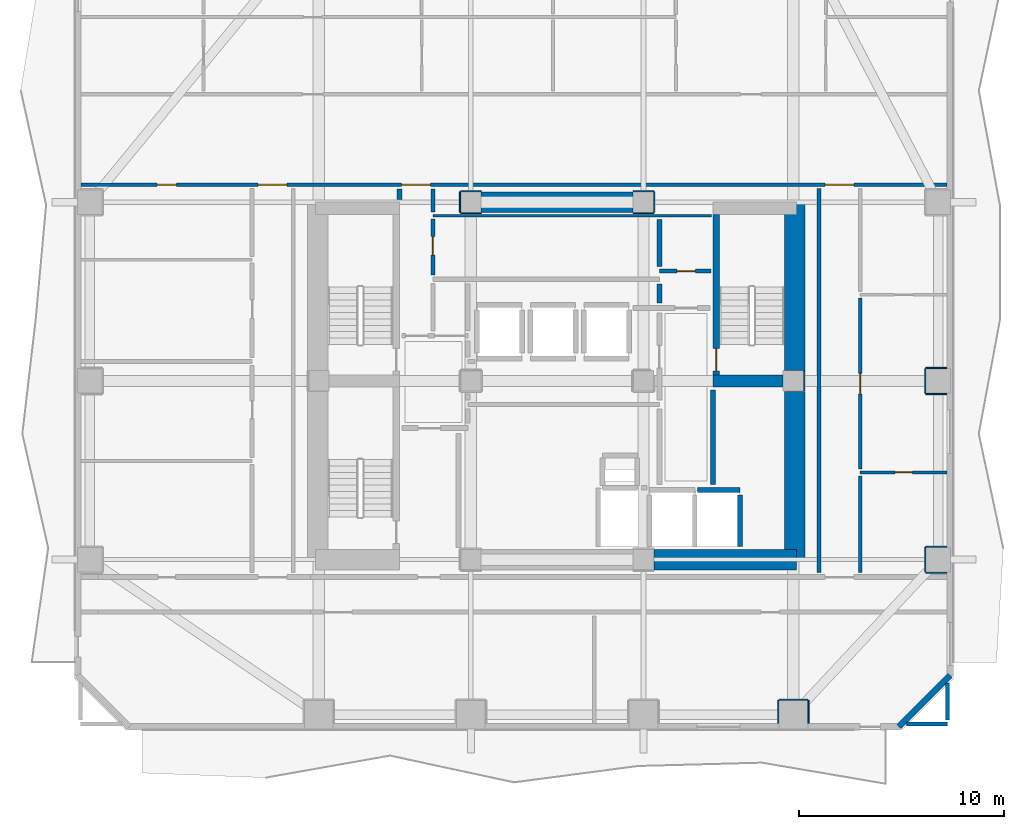
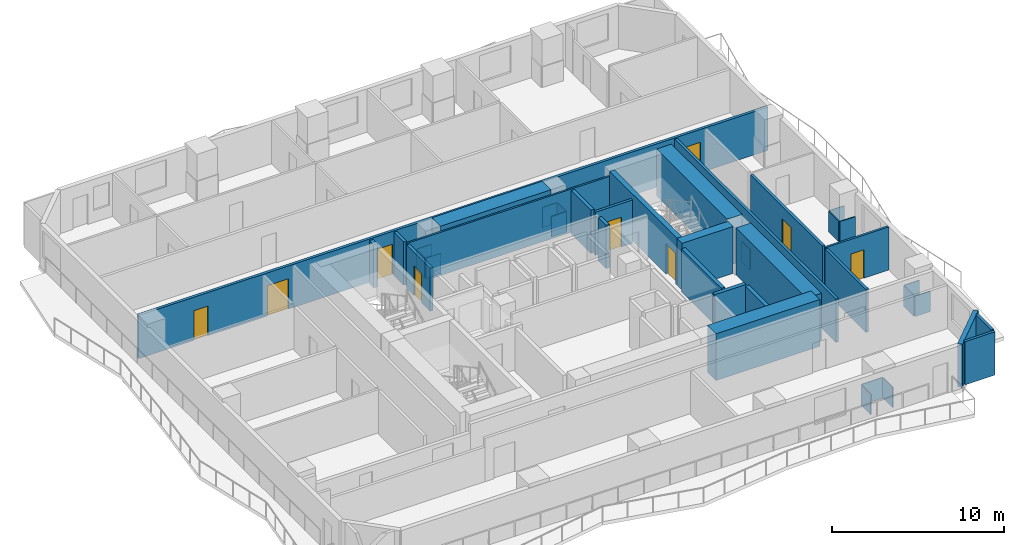
# One storey, part 4 of 10: 40 walls, 9 doors, 9 openings.
"""IFC4 building model written with IfcOpenShell, lengths in metres."""

from ifc_helpers import new_model, si_unit, direction, frame, frame_2d, origin, place, context, subcontext, project, spatial, rectangle, extrude, material, layer, layer_set, type_object, element, fill, save


model = new_model("IFC4")

# Units and contexts
model_context = context("Model", 3, precision=1e-05, world=origin(), true_north=direction((0.0, 1.0)))
body_context = subcontext(model_context, "Body", "Model", "MODEL_VIEW")
ifc_project = project(units=[si_unit("LENGTHUNIT", "METRE"), si_unit("AREAUNIT", "SQUARE_METRE"), si_unit("VOLUMEUNIT", "CUBIC_METRE"), si_unit("PLANEANGLEUNIT", "RADIAN"), si_unit("MASSUNIT", "GRAM", prefix="KILO")], contexts=[model_context])

# Site, building, storey
site_placement = place(None, origin())
site = spatial("IfcSite", under=ifc_project, at=site_placement, CompositionType="ELEMENT")
building_placement = place(site_placement, origin())
building = spatial("IfcBuilding", under=site, at=building_placement, Name="Solanera Arch Residences", CompositionType="ELEMENT")
storey_placement = place(building_placement, frame((0.0, 0.0, 92.800048828125)))
storey = spatial("IfcBuildingStorey", under=building, at=storey_placement, Name="L26", CompositionType="ELEMENT", Elevation=92.800048828125)

# Walls
ifc_material_1 = material(Name="Fire-Rated Gypsum Stud Partition", Category="gypsum")
ifc_layer_1 = layer(ifc_material_1, 0.06005859375)
ifc_layer_set_1 = layer_set([ifc_layer_1], Name="Fire-Rated Gypsum Stud Partition")
wall_type_1 = type_object("IfcWallType", Name="Column Acoustic Furring Wall 60", PredefinedType="PARTITIONING", material=ifc_layer_set_1)
for number, where, z_axis, x_axis, name in (
    (1, (20.300048828125, 38.867919921875, 0.0), (0.0, 0.0, 1.0), (1.0, 0.0, 0.0), "L26 Column Furring 3S"),
    (2, (20.300048828125, 39.931884765625, 0.0), (0.0, 0.0, 1.0), (1.0, 0.0, 0.0), "L26 Column Furring 3N"),
    (3, (20.26806640625, 38.89990234375, 0.0), (0.0, 0.0, 1.0), (0.0, 1.0, 0.0), "L26 Column Furring 3W"),
    (4, (28.699951171875, 38.867919921875, 0.0), (0.0, 0.0, 1.0), (1.0, 0.0, 0.0), "L26 Column Furring 4S"),
    (5, (28.699951171875, 39.931884765625, 0.0), (0.0, 0.0, 1.0), (1.0, 0.0, 0.0), "L26 Column Furring 4N"),
    (6, (29.73193359375, 38.89990234375, 0.0), (0.0, 0.0, 1.0), (0.0, 1.0, 0.0), "L26 Column Furring 4E"),
):
    element("IfcWall", number, at=place(storey_placement, frame(where, z_axis=z_axis, x_axis=x_axis)), inside=storey, type_object=wall_type_1, Name=name, PredefinedType="PARTITIONING", context=body_context, shape_type="SweptSolid", body=[
        extrude(rectangle(XDim=1.0, YDim=0.06005859375, at=frame_2d((0.5, 0.0))), origin(), (0.0, 0.0, 1.0), 1.449951171875),
    ])
wall_1_placement = place(storey_placement, frame((37.031982421875, 30.2099609375, 0.0), z_axis=(0.0, 0.0, 1.0), x_axis=(0.0, 1.0, 0.0)))
element("IfcWall", 7, at=wall_1_placement, inside=storey, type_object=wall_type_1, Name="L26 Column Furring 6E", PredefinedType="PARTITIONING", context=body_context, shape_type="SweptSolid", body=[
    extrude(rectangle(XDim=0.97998046875, YDim=0.06005859375, at=frame_2d((0.489990234375, 0.0))), origin(), (0.0, 0.0, 1.0), 1.449951171875),
])
wall_2_placement = place(storey_placement, frame((35.800048828125, 15.181884765625, 0.0), z_axis=(0.0, 0.0, 1.0), x_axis=(1.0, 0.0, 0.0)))
element("IfcWall", 8, at=wall_2_placement, inside=storey, type_object=wall_type_1, Name="L26 Column Furring 15N", PredefinedType="PARTITIONING", context=body_context, shape_type="SweptSolid", body=[
    extrude(rectangle(XDim=1.39990234375, YDim=0.06005859375, at=frame_2d((0.699951171875, 0.0))), origin(), (0.0, 0.0, 1.0), 1.449951171875),
])
for number, where, z_axis, x_axis, name in (
    (9, (35.76806640625, 14.030029296875, 0.0), (0.0, 0.0, 1.0), (0.0, 1.0, 0.0), "L26 Column Furring 15W"),
    (10, (37.23193359375, 14.030029296875, 0.0), (0.0, 0.0, 1.0), (0.0, 1.0, 0.0), "L26 Column Furring 15E"),
):
    element("IfcWall", number, at=place(storey_placement, frame(where, z_axis=z_axis, x_axis=x_axis)), inside=storey, type_object=wall_type_1, Name=name, PredefinedType="PARTITIONING", context=body_context, shape_type="SweptSolid", body=[
        extrude(rectangle(XDim=1.119873046875, YDim=0.06005859375, at=frame_2d((0.56005859375, 0.0))), origin(), (0.0, 0.0, 1.0), 1.449951171875),
    ])
for number, where, z_axis, x_axis, name in (
    (11, (42.949951171875, 21.367919921875, 0.0), (0.0, 0.0, 1.0), (1.0, 0.0, 0.0), "L26 Column Furring 18S"),
    (12, (42.949951171875, 22.632080078125, 0.0), (0.0, 0.0, 1.0), (1.0, 0.0, 0.0), "L26 Column Furring 18N"),
):
    element("IfcWall", number, at=place(storey_placement, frame(where, z_axis=z_axis, x_axis=x_axis)), inside=storey, type_object=wall_type_1, Name=name, PredefinedType="PARTITIONING", context=body_context, shape_type="SweptSolid", body=[
        extrude(rectangle(XDim=1.02001953125, YDim=0.06005859375, at=frame_2d((0.510009765625, 0.0))), origin(), (0.0, 0.0, 1.0), 1.449951171875),
    ])
wall_3_placement = place(storey_placement, frame((42.91796875, 21.39990234375, 0.0), z_axis=(0.0, 0.0, 1.0), x_axis=(0.0, 1.0, 0.0)))
element("IfcWall", 13, at=wall_3_placement, inside=storey, type_object=wall_type_1, Name="L26 Column Furring 18W", PredefinedType="PARTITIONING", context=body_context, shape_type="SweptSolid", body=[
    extrude(rectangle(XDim=1.2001953125, YDim=0.06005859375, at=frame_2d((0.60009765625, 0.0))), origin(), (0.0, 0.0, 1.0), 1.449951171875),
])
for number, where, z_axis, x_axis, name in (
    (14, (42.949951171875, 30.068115234375, 0.0), (0.0, 0.0, 1.0), (1.0, 0.0, 0.0), "L26 Column Furring 20S"),
    (15, (42.949951171875, 31.33203125, 0.0), (0.0, 0.0, 1.0), (1.0, 0.0, 0.0), "L26 Column Furring 20N"),
):
    element("IfcWall", number, at=place(storey_placement, frame(where, z_axis=z_axis, x_axis=x_axis)), inside=storey, type_object=wall_type_1, Name=name, PredefinedType="PARTITIONING", context=body_context, shape_type="SweptSolid", body=[
        extrude(rectangle(XDim=1.02001953125, YDim=0.06005859375, at=frame_2d((0.510009765625, 0.0))), origin(), (0.0, 0.0, 1.0), 1.449951171875),
    ])
wall_4_placement = place(storey_placement, frame((42.91796875, 30.10009765625, 0.0), z_axis=(0.0, 0.0, 1.0), x_axis=(0.0, 1.0, 0.0)))
element("IfcWall", 16, at=wall_4_placement, inside=storey, type_object=wall_type_1, Name="L26 Column Furring 20W", PredefinedType="PARTITIONING", context=body_context, shape_type="SweptSolid", body=[
    extrude(rectangle(XDim=1.199951171875, YDim=0.06005859375, at=frame_2d((0.60009765625, 0.0))), origin(), (0.0, 0.0, 1.0), 1.449951171875),
])
ifc_material_2 = material(Name="Concrete C55/67 (f'c = 60 MPa)", Category="concrete")
ifc_layer_2 = layer(ifc_material_2, 1.0)
ifc_layer_set_2 = layer_set([ifc_layer_2], Name="Concrete C55/67 (f'c = 60 MPa)")
wall_type_2 = type_object("IfcWallType", Name="Core Shear Wall CW-1000", PredefinedType="SHEAR", material=ifc_layer_set_2)
wall_5_placement = place(storey_placement, frame((36.56005859375, 22.0, 0.0), z_axis=(0.0, 0.0, 1.0), x_axis=(0.0, 1.0, 0.0)))
element("IfcWall", 17, at=wall_5_placement, inside=storey, type_object=wall_type_2, Name="L26 East Core South Shear Wall", PredefinedType="SHEAR", context=body_context, shape_type="SweptSolid", body=[
    extrude(rectangle(XDim=8.195068359375, YDim=1.0, at=frame_2d((4.09765625, 0.0))), origin(), (0.0, 0.0, 1.0), 3.320068359375),
])
wall_6_placement = place(storey_placement, frame((36.56005859375, 31.205078125, 0.0), z_axis=(0.0, 0.0, 1.0), x_axis=(0.0, 1.0, 0.0)))
element("IfcWall", 18, at=wall_6_placement, inside=storey, type_object=wall_type_2, Name="L26 East Core North Shear Wall", PredefinedType="SHEAR", context=body_context, shape_type="SweptSolid", body=[
    extrude(rectangle(XDim=8.19482421875, YDim=1.0, at=frame_2d((4.097412109375, 0.0))), origin(), (0.0, 0.0, 1.0), 3.320068359375),
])
wall_7_placement = place(storey_placement, frame((29.705078125, 22.0, 0.0), z_axis=(0.0, 0.0, 1.0), x_axis=(1.0, 0.0, 0.0)))
element("IfcWall", 19, at=wall_7_placement, inside=storey, type_object=wall_type_2, Name="L26 South-East Core Shear Wall", PredefinedType="SHEAR", context=body_context, shape_type="SweptSolid", body=[
    extrude(rectangle(XDim=6.954833984375, YDim=1.0, at=frame_2d((3.4775390625, 0.0))), origin(), (0.0, 0.0, 1.0), 3.320068359375),
])
wall_8_placement = place(storey_placement, frame((21.304931640625, 39.39990234375, 0.0), z_axis=(0.0, 0.0, 1.0), x_axis=(1.0, 0.0, 0.0)))
element("IfcWall", 20, at=wall_8_placement, inside=storey, type_object=wall_type_2, Name="L26 Central North Core Shear Wall", PredefinedType="SHEAR", context=body_context, shape_type="SweptSolid", body=[
    extrude(rectangle(XDim=7.39013671875, YDim=1.0, at=frame_2d((3.695068359375, 0.0))), origin(), (0.0, 0.0, 1.0), 3.320068359375),
])

# Wall, opening, door
ifc_material_3 = material(Name="Concrete C40/50 (f'c = 45 MPa)", Category="concrete")
ifc_layer_3 = layer(ifc_material_3, 0.320068359375)
ifc_layer_set_3 = layer_set([ifc_layer_3], Name="Concrete C40/50 (f'c = 45 MPa)")
wall_type_3 = type_object("IfcWallType", Name="Core Shear Wall CW-320", PredefinedType="SHEAR", material=ifc_layer_set_3)
wall_9_placement = place(storey_placement, frame((32.739990234375, 31.0, 0.0), z_axis=(0.0, 0.0, 1.0), x_axis=(0.0, 1.0, 0.0)))
wall_9 = element("IfcWall", 21, at=wall_9_placement, inside=storey, type_object=wall_type_3, Name="L26 Stair ST-T2 West Shear Wall", PredefinedType="SHEAR", context=body_context, shape_type="SweptSolid", body=[
    extrude(rectangle(XDim=7.800048828125, YDim=0.320068359375, at=frame_2d((3.89990234375, 0.0))), origin(), (0.0, 0.0, 1.0), 3.320068359375),
])
opening_1_placement = place(wall_9_placement, frame((0.18994140625, 0.0, 0.0)))
opening_1 = element("IfcOpeningElement", 22, at=opening_1_placement, cuts=wall_9, Name="Opening DF-01", PredefinedType="OPENING", context=body_context, shape_type="SweptSolid", body=[
    extrude(rectangle(XDim=1.10009765625, YDim=2.14990234375, at=frame_2d((0.550048828125, 1.074951171875))), frame((0.0, 0.169921875, 0.0), z_axis=(0.0, -1.0, 0.0), x_axis=(1.0, 0.0, 0.0)), (0.0, 0.0, 1.0), 0.3401),
])
ifc_material_4 = material(Name="Fire-Rated Architectural Hardwood", Category="wood")
door_type_1 = type_object("IfcDoorType", Name="Stair Exit Fire Door DF-01", OperationType="NOTDEFINED", PredefinedType="DOOR", material=ifc_material_4)
door_1_placement = place(opening_1_placement, origin())
door_1 = element("IfcDoor", 23, at=door_1_placement, inside=storey, type_object=door_type_1, Name="DR-L26-STAIR-ST-T2", OperationType="SINGLE_SWING_LEFT", OverallHeight=2.14990234375, OverallWidth=1.10009765625, PredefinedType="DOOR", context=body_context, shape_type="SweptSolid", body=[
    extrude(rectangle(XDim=1.10009765625, YDim=2.14990234375, at=frame_2d((0.550048828125, 1.074951171875))), frame((0.0, 0.02490234375, 0.0), z_axis=(0.0, -1.0, 0.0), x_axis=(1.0, 0.0, 0.0)), (0.0, 0.0, 1.0), 0.050048828125),
])
fill(opening_1, door_1)

# Walls
ifc_material_5 = material(Name="Concrete C40/50 (f'c = 45 MPa)", Category="concrete")
ifc_layer_4 = layer(ifc_material_5, 0.60009765625)
ifc_layer_set_4 = layer_set([ifc_layer_4], Name="Concrete C40/50 (f'c = 45 MPa)")
wall_type_4 = type_object("IfcWallType", Name="Core Shear Wall CW-600", PredefinedType="SHEAR", material=ifc_layer_set_4)
wall_10_placement = place(storey_placement, frame((32.580078125, 30.699951171875, 0.0), z_axis=(0.0, 0.0, 1.0), x_axis=(1.0, 0.0, 0.0)))
element("IfcWall", 24, at=wall_10_placement, inside=storey, type_object=wall_type_4, Name="L26 East Stair Far-Landing Shear Wall", PredefinedType="SHEAR", context=body_context, shape_type="SweptSolid", body=[
    extrude(rectangle(XDim=3.4150390625, YDim=0.60009765625, at=frame_2d((1.70751953125, 0.0))), origin(), (0.0, 0.0, 1.0), 3.320068359375),
])
ifc_material_6 = material(Name="Autoclaved Aerated Concrete Blockwork", Category="masonry")
ifc_layer_5 = layer(ifc_material_6, 0.179931640625)
ifc_layer_set_5 = layer_set([ifc_layer_5], Name="Autoclaved Aerated Concrete Blockwork")
wall_type_5 = type_object("IfcWallType", Name="Corridor Fire Partition 180", PredefinedType="PARTITIONING", material=ifc_layer_set_5)
wall_11_placement = place(storey_placement, frame((41.9990234375, 14.0, 0.0), z_axis=(0.0, 0.0, 1.0), x_axis=(1.0, 0.0, 0.0)))
element("IfcWall", 25, at=wall_11_placement, inside=storey, type_object=wall_type_5, Name="L26 Interior Partition H7 2", PredefinedType="PARTITIONING", context=body_context, shape_type="SweptSolid", body=[
    extrude(rectangle(XDim=2.0009765625, YDim=0.179931640625, at=frame_2d((1.00048828125, 0.0))), origin(), (0.0, 0.0, 1.0), 3.06005859375),
])

# Wall, opening, door
wall_12_placement = place(storey_placement, frame((29.97509765625, 36.050048828125, 0.0), z_axis=(0.0, 0.0, 1.0), x_axis=(1.0, 0.0, 0.0)))
wall_12 = element("IfcWall", 26, at=wall_12_placement, inside=storey, type_object=wall_type_5, Name="L26 Interior Partition H12", PredefinedType="PARTITIONING", context=body_context, shape_type="SweptSolid", body=[
    extrude(rectangle(XDim=2.5048828125, YDim=0.179931640625, at=frame_2d((1.25244140625, 0.0))), origin(), (0.0, 0.0, 1.0), 3.06005859375),
])
opening_2_placement = place(wall_12_placement, frame((0.85205078125, 0.0, 0.0)))
opening_2 = element("IfcOpeningElement", 27, at=opening_2_placement, cuts=wall_12, Name="Opening DI-02", PredefinedType="OPENING", context=body_context, shape_type="SweptSolid", body=[
    extrude(rectangle(XDim=0.89990234375, YDim=2.10009765625, at=frame_2d((0.449951171875, 1.050048828125))), frame((0.0, 0.10009765625, 0.0), z_axis=(0.0, -1.0, 0.0), x_axis=(1.0, 0.0, 0.0)), (0.0, 0.0, 1.0), 0.1999),
])
ifc_material_7 = material(Name="Fire-Rated Architectural Hardwood", Category="wood")
door_type_2 = type_object("IfcDoorType", Name="Suite Room Swing Door DI-02", OperationType="NOTDEFINED", PredefinedType="DOOR", material=ifc_material_7)
door_2_placement = place(opening_2_placement, origin())
door_2 = element("IfcDoor", 28, at=door_2_placement, inside=storey, type_object=door_type_2, Name="DR-L26-IN-016", OperationType="SINGLE_SWING_LEFT", OverallHeight=2.10009765625, OverallWidth=0.89990234375, PredefinedType="DOOR", context=body_context, shape_type="SweptSolid", body=[
    extrude(rectangle(XDim=0.89990234375, YDim=2.10009765625, at=frame_2d((0.449951171875, 1.050048828125))), frame((0.0, 0.02490234375, 0.0), z_axis=(0.0, -1.0, 0.0), x_axis=(1.0, 0.0, 0.0)), (0.0, 0.0, 1.0), 0.050048828125),
])
fill(opening_2, door_2)

# Wall, openings, doors
wall_13_placement = place(storey_placement, frame((1.826904296875, 40.25, 0.0), z_axis=(0.0, 0.0, 1.0), x_axis=(1.0, 0.0, 0.0)))
wall_13 = element("IfcWall", 29, at=wall_13_placement, inside=storey, type_object=wall_type_5, Name="L26 Interior Partition H13", PredefinedType="PARTITIONING", context=body_context, shape_type="SweptSolid", body=[
    extrude(rectangle(XDim=42.14599609375, YDim=0.179931640625, at=frame_2d((21.072998046875, 0.0))), origin(), (0.0, 0.0, 1.0), 3.06005859375),
])
opening_3_placement = place(wall_13_placement, frame((15.60791015625, 0.0, 0.0)))
opening_3 = element("IfcOpeningElement", 30, at=opening_3_placement, cuts=wall_13, Name="Opening DF-03", PredefinedType="OPENING", context=body_context, shape_type="SweptSolid", body=[
    extrude(rectangle(XDim=1.39990234375, YDim=2.14990234375, at=frame_2d((0.699951171875, 1.074951171875))), frame((0.0, 0.10009765625, 0.0), z_axis=(0.0, -1.0, 0.0), x_axis=(1.0, 0.0, 0.0)), (0.0, 0.0, 1.0), 0.1999),
])
opening_4_placement = place(wall_13_placement, frame((8.623046875, 0.0, 0.0)))
opening_4 = element("IfcOpeningElement", 31, at=opening_4_placement, cuts=wall_13, Name="Opening DF-03", PredefinedType="OPENING", context=body_context, shape_type="SweptSolid", body=[
    extrude(rectangle(XDim=1.39990234375, YDim=2.14990234375, at=frame_2d((0.699951171875, 1.074951171875))), frame((0.0, 0.10009765625, 0.0), z_axis=(0.0, -1.0, 0.0), x_axis=(1.0, 0.0, 0.0)), (0.0, 0.0, 1.0), 0.1999),
])
opening_5_placement = place(wall_13_placement, frame((36.222900390625, 0.0, 0.0)))
opening_5 = element("IfcOpeningElement", 32, at=opening_5_placement, cuts=wall_13, Name="Opening DF-03", PredefinedType="OPENING", context=body_context, shape_type="SweptSolid", body=[
    extrude(rectangle(XDim=1.39990234375, YDim=2.14990234375, at=frame_2d((0.699951171875, 1.074951171875))), frame((0.0, 0.10009765625, 0.0), z_axis=(0.0, -1.0, 0.0), x_axis=(1.0, 0.0, 0.0)), (0.0, 0.0, 1.0), 0.1999),
])
opening_6_placement = place(wall_13_placement, frame((3.697021484375, 0.0, 0.0)))
opening_6 = element("IfcOpeningElement", 33, at=opening_6_placement, cuts=wall_13, Name="Opening DI-04", PredefinedType="OPENING", context=body_context, shape_type="SweptSolid", body=[
    extrude(rectangle(XDim=0.949951171875, YDim=2.10009765625, at=frame_2d((0.47509765625, 1.050048828125))), frame((0.0, 0.10009765625, 0.0), z_axis=(0.0, -1.0, 0.0), x_axis=(1.0, 0.0, 0.0)), (0.0, 0.0, 1.0), 0.1999),
])
ifc_material_8 = material(Name="Fire-Rated Architectural Hardwood", Category="wood")
door_type_3 = type_object("IfcDoorType", Name="Accessible Restroom Door DI-04", OperationType="NOTDEFINED", PredefinedType="DOOR", material=ifc_material_8)
door_3_placement = place(opening_6_placement, origin())
door_3 = element("IfcDoor", 34, at=door_3_placement, inside=storey, type_object=door_type_3, Name="DR-L26-IN-022", OperationType="SINGLE_SWING_LEFT", OverallHeight=2.10009765625, OverallWidth=0.949951171875, PredefinedType="DOOR", context=body_context, shape_type="SweptSolid", body=[
    extrude(rectangle(XDim=0.949951171875, YDim=2.10009765625, at=frame_2d((0.47509765625, 1.050048828125))), frame((0.0, 0.02490234375, 0.0), z_axis=(0.0, -1.0, 0.0), x_axis=(1.0, 0.0, 0.0)), (0.0, 0.0, 1.0), 0.050048828125),
])
fill(opening_6, door_3)
ifc_material_9 = material(Name="Fire-Rated Architectural Hardwood", Category="wood")
door_type_4 = type_object("IfcDoorType", Name="Corridor Smoke Door DF-03", OperationType="NOTDEFINED", PredefinedType="DOOR", material=ifc_material_9)
door_4_placement = place(opening_3_placement, origin())
door_4 = element("IfcDoor", 35, at=door_4_placement, inside=storey, type_object=door_type_4, Name="DR-L26-IN-009", OperationType="SINGLE_SWING_RIGHT", OverallHeight=2.14990234375, OverallWidth=1.39990234375, PredefinedType="DOOR", context=body_context, shape_type="SweptSolid", body=[
    extrude(rectangle(XDim=1.39990234375, YDim=2.14990234375, at=frame_2d((0.699951171875, 1.074951171875))), frame((0.0, 0.02490234375, 0.0), z_axis=(0.0, -1.0, 0.0), x_axis=(1.0, 0.0, 0.0)), (0.0, 0.0, 1.0), 0.050048828125),
])
fill(opening_3, door_4)
door_5_placement = place(opening_4_placement, origin())
door_5 = element("IfcDoor", 36, at=door_5_placement, inside=storey, type_object=door_type_4, Name="DR-L26-IN-013", OperationType="SINGLE_SWING_RIGHT", OverallHeight=2.14990234375, OverallWidth=1.39990234375, PredefinedType="DOOR", context=body_context, shape_type="SweptSolid", body=[
    extrude(rectangle(XDim=1.39990234375, YDim=2.14990234375, at=frame_2d((0.699951171875, 1.074951171875))), frame((0.0, 0.02490234375, 0.0), z_axis=(0.0, -1.0, 0.0), x_axis=(1.0, 0.0, 0.0)), (0.0, 0.0, 1.0), 0.050048828125),
])
fill(opening_4, door_5)
door_6_placement = place(opening_5_placement, origin())
door_6 = element("IfcDoor", 37, at=door_6_placement, inside=storey, type_object=door_type_4, Name="DR-L26-IN-014", OperationType="SINGLE_SWING_LEFT", OverallHeight=2.14990234375, OverallWidth=1.39990234375, PredefinedType="DOOR", context=body_context, shape_type="SweptSolid", body=[
    extrude(rectangle(XDim=1.39990234375, YDim=2.14990234375, at=frame_2d((0.699951171875, 1.074951171875))), frame((0.0, 0.02490234375, 0.0), z_axis=(0.0, -1.0, 0.0), x_axis=(1.0, 0.0, 0.0)), (0.0, 0.0, 1.0), 0.050048828125),
])
fill(opening_5, door_6)

# Walls
wall_14_placement = place(storey_placement, frame((37.75, 21.367919921875, 0.0), z_axis=(0.0, 0.0, 1.0), x_axis=(0.0, 1.0, 0.0)))
element("IfcWall", 38, at=wall_14_placement, inside=storey, type_object=wall_type_5, Name="L26 Interior Partition V12", PredefinedType="PARTITIONING", context=body_context, shape_type="SweptSolid", body=[
    extrude(rectangle(XDim=18.694091796875, YDim=0.179931640625, at=frame_2d((9.34716796875, 0.0))), origin(), (0.0, 0.0, 1.0), 3.06005859375),
])
wall_15_placement = place(storey_placement, frame((39.75, 21.367919921875, 0.0), z_axis=(0.0, 0.0, 1.0), x_axis=(0.0, 1.0, 0.0)))
element("IfcWall", 39, at=wall_15_placement, inside=storey, type_object=wall_type_5, Name="L26 Interior Partition V13 1", PredefinedType="PARTITIONING", context=body_context, shape_type="SweptSolid", body=[
    extrude(rectangle(XDim=4.714111328125, YDim=0.179931640625, at=frame_2d((2.35693359375, 0.0))), origin(), (0.0, 0.0, 1.0), 3.06005859375),
])

# Wall, opening, door
wall_16_placement = place(storey_placement, frame((39.75, 26.41796875, 0.0), z_axis=(0.0, 0.0, 1.0), x_axis=(0.0, 1.0, 0.0)))
wall_16 = element("IfcWall", 40, at=wall_16_placement, inside=storey, type_object=wall_type_5, Name="L26 Interior Partition V13 2", PredefinedType="PARTITIONING", context=body_context, shape_type="SweptSolid", body=[
    extrude(rectangle(XDim=8.31591796875, YDim=0.179931640625, at=frame_2d((4.157958984375, 0.0))), origin(), (0.0, 0.0, 1.0), 3.06005859375),
])
opening_7_placement = place(wall_16_placement, frame((3.653076171875, 0.0, 0.0)))
opening_7 = element("IfcOpeningElement", 41, at=opening_7_placement, cuts=wall_16, Name="Opening DI-01", PredefinedType="OPENING", context=body_context, shape_type="SweptSolid", body=[
    extrude(rectangle(XDim=1.0, YDim=2.14990234375, at=frame_2d((0.5, 1.074951171875))), frame((0.0, 0.10009765625, 0.0), z_axis=(0.0, -1.0, 0.0), x_axis=(1.0, 0.0, 0.0)), (0.0, 0.0, 1.0), 0.1999),
])
ifc_material_10 = material(Name="Fire-Rated Architectural Hardwood", Category="wood")
door_type_5 = type_object("IfcDoorType", Name="Unit Entrance Fire Door DI-01", OperationType="NOTDEFINED", PredefinedType="DOOR", material=ifc_material_10)
door_7_placement = place(opening_7_placement, origin())
door_7 = element("IfcDoor", 42, at=door_7_placement, inside=storey, type_object=door_type_5, Name="DR-L26-IN-023", OperationType="SINGLE_SWING_RIGHT", OverallHeight=2.14990234375, OverallWidth=1.0, PredefinedType="DOOR", context=body_context, shape_type="SweptSolid", body=[
    extrude(rectangle(XDim=1.0, YDim=2.14990234375, at=frame_2d((0.5, 1.074951171875))), frame((0.0, 0.02490234375, 0.0), z_axis=(0.0, -1.0, 0.0), x_axis=(1.0, 0.0, 0.0)), (0.0, 0.0, 1.0), 0.050048828125),
])
fill(opening_7, door_7)

# Walls
wall_17_placement = place(storey_placement, frame((44.0, 14.18798828125, 0.0), z_axis=(0.0, 0.0, 1.0), x_axis=(0.0, 1.0, 0.0)))
element("IfcWall", 43, at=wall_17_placement, inside=storey, type_object=wall_type_5, Name="L26 Interior Partition V14 1", PredefinedType="PARTITIONING", context=body_context, shape_type="SweptSolid", body=[
    extrude(rectangle(XDim=1.81298828125, YDim=0.179931640625, at=frame_2d((0.906494140625, 0.0))), origin(), (0.0, 0.0, 1.0), 3.06005859375),
])
ifc_material_11 = material(Name="Precast Concrete C35/45", Category="concrete")
ifc_layer_6 = layer(ifc_material_11, 0.300048828125)
ifc_layer_set_6 = layer_set([ifc_layer_6], Name="Precast Concrete C35/45")
wall_type_6 = type_object("IfcWallType", Name="Exterior Wall Precast Masonry-Frame 300", PredefinedType="STANDARD", material=ifc_layer_set_6)
wall_18_placement = place(storey_placement, frame((44.135009765625, 16.364990234375, 0.0), z_axis=(0.0, 0.0, 1.0), x_axis=(-0.707106781187, -0.707106781187, 0.0)))
element("IfcWall", 44, at=wall_18_placement, inside=storey, type_object=wall_type_6, Name="L26 Tower Exterior Precast Masonry-Frame Wall CH5", PredefinedType="STANDARD", context=body_context, shape_type="SweptSolid", body=[
    extrude(rectangle(XDim=3.53564453125, YDim=0.300048828125, at=frame_2d((1.767822265625, 0.0))), origin(), (0.0, 0.0, 1.0), 3.06005859375),
])

# Wall, opening, door
ifc_material_12 = material(Name="Autoclaved Aerated Concrete Blockwork", Category="masonry")
ifc_layer_7 = layer(ifc_material_12, 0.199951171875)
ifc_layer_set_7 = layer_set([ifc_layer_7], Name="Autoclaved Aerated Concrete Blockwork")
wall_type_7 = type_object("IfcWallType", Name="Party Wall Acoustic 200", PredefinedType="PARTITIONING", material=ifc_layer_set_7)
wall_19_placement = place(storey_placement, frame((18.949951171875, 35.85791015625, 0.0), z_axis=(0.0, 0.0, 1.0), x_axis=(0.0, 1.0, 0.0)))
wall_19 = element("IfcWall", 45, at=wall_19_placement, inside=storey, type_object=wall_type_7, Name="L26 Interior Partition V6 2", PredefinedType="PARTITIONING", context=body_context, shape_type="SweptSolid", body=[
    extrude(rectangle(XDim=2.72412109375, YDim=0.199951171875, at=frame_2d((1.362060546875, 0.0))), origin(), (0.0, 0.0, 1.0), 3.06005859375),
])
opening_8_placement = place(wall_19_placement, frame((0.967041015625, 0.0, 0.0)))
opening_8 = element("IfcOpeningElement", 46, at=opening_8_placement, cuts=wall_19, Name="Opening DI-02", PredefinedType="OPENING", context=body_context, shape_type="SweptSolid", body=[
    extrude(rectangle(XDim=0.89990234375, YDim=2.10009765625, at=frame_2d((0.449951171875, 1.050048828125))), frame((0.0, 0.110107421875, 0.0), z_axis=(0.0, -1.0, 0.0), x_axis=(1.0, 0.0, 0.0)), (0.0, 0.0, 1.0), 0.22),
])
door_8_placement = place(opening_8_placement, origin())
door_8 = element("IfcDoor", 47, at=door_8_placement, inside=storey, type_object=door_type_2, Name="DR-L26-IN-017", OperationType="SINGLE_SWING_RIGHT", OverallHeight=2.10009765625, OverallWidth=0.89990234375, PredefinedType="DOOR", context=body_context, shape_type="SweptSolid", body=[
    extrude(rectangle(XDim=0.89990234375, YDim=2.10009765625, at=frame_2d((0.449951171875, 1.050048828125))), frame((0.0, 0.02490234375, 0.0), z_axis=(0.0, -1.0, 0.0), x_axis=(1.0, 0.0, 0.0)), (0.0, 0.0, 1.0), 0.050048828125),
])
fill(opening_8, door_8)

# Walls
wall_20_placement = place(storey_placement, frame((18.949951171875, 38.91796875, 0.0), z_axis=(0.0, 0.0, 1.0), x_axis=(0.0, 1.0, 0.0)))
element("IfcWall", 48, at=wall_20_placement, inside=storey, type_object=wall_type_7, Name="L26 Interior Partition V6 3", PredefinedType="PARTITIONING", context=body_context, shape_type="SweptSolid", body=[
    extrude(rectangle(XDim=1.134033203125, YDim=0.199951171875, at=frame_2d((0.56689453125, 0.0))), origin(), (0.0, 0.0, 1.0), 3.06005859375),
])
ifc_material_13 = material(Name="Autoclaved Aerated Concrete Blockwork", Category="masonry")
ifc_layer_8 = layer(ifc_material_13, 0.239990234375)
ifc_layer_set_8 = layer_set([ifc_layer_8], Name="Autoclaved Aerated Concrete Blockwork")
wall_type_8 = type_object("IfcWallType", Name="Shaft Wall Fire-Rated 240", PredefinedType="PARTITIONING", material=ifc_layer_set_8)
wall_21_placement = place(storey_placement, frame((31.827880859375, 25.39990234375, 0.0), z_axis=(0.0, 0.0, 1.0), x_axis=(1.0, 0.0, 0.0)))
element("IfcWall", 49, at=wall_21_placement, inside=storey, type_object=wall_type_8, Name="L26 Lift FFL-2 Hoistway Wall N", PredefinedType="PARTITIONING", context=body_context, shape_type="SweptSolid", body=[
    extrude(rectangle(XDim=2.072021484375, YDim=0.239990234375, at=frame_2d((1.0361328125, 0.0))), origin(), (0.0, 0.0, 1.0), 3.06005859375),
])
wall_22_placement = place(storey_placement, frame((33.89990234375, 22.6298828125, 0.0), z_axis=(0.0, 0.0, 1.0), x_axis=(0.0, 1.0, 0.0)))
element("IfcWall", 50, at=wall_22_placement, inside=storey, type_object=wall_type_8, Name="L26 Lift FFL-2 Hoistway Wall E", PredefinedType="PARTITIONING", context=body_context, shape_type="SweptSolid", body=[
    extrude(rectangle(XDim=2.522216796875, YDim=0.239990234375, at=frame_2d((1.26123046875, 0.0))), origin(), (0.0, 0.0, 1.0), 3.06005859375),
])
wall_23_placement = place(storey_placement, frame((17.320068359375, 39.530029296875, 0.0), z_axis=(0.0, 0.0, 1.0), x_axis=(0.0, 1.0, 0.0)))
element("IfcWall", 51, at=wall_23_placement, inside=storey, type_object=wall_type_8, Name="L26 Interior Partition V1", PredefinedType="PARTITIONING", context=body_context, shape_type="SweptSolid", body=[
    extrude(rectangle(XDim=0.501953125, YDim=0.239990234375, at=frame_2d((0.2509765625, 0.0))), origin(), (0.0, 0.0, 1.0), 3.06005859375),
])
wall_24_placement = place(storey_placement, frame((29.97509765625, 34.498046875, 0.0), z_axis=(0.0, 0.0, 1.0), x_axis=(0.0, 1.0, 0.0)))
element("IfcWall", 52, at=wall_24_placement, inside=storey, type_object=wall_type_8, Name="L26 Interior Partition V4 3", PredefinedType="PARTITIONING", context=body_context, shape_type="SweptSolid", body=[
    extrude(rectangle(XDim=0.924072265625, YDim=0.239990234375, at=frame_2d((0.4619140625, 0.0))), origin(), (0.0, 0.0, 1.0), 3.06005859375),
])
wall_25_placement = place(storey_placement, frame((29.97509765625, 36.26806640625, 0.0), z_axis=(0.0, 0.0, 1.0), x_axis=(0.0, 1.0, 0.0)))
element("IfcWall", 53, at=wall_25_placement, inside=storey, type_object=wall_type_8, Name="L26 Interior Partition V4 4", PredefinedType="PARTITIONING", context=body_context, shape_type="SweptSolid", body=[
    extrude(rectangle(XDim=2.2939453125, YDim=0.239990234375, at=frame_2d((1.14697265625, 0.0))), origin(), (0.0, 0.0, 1.0), 3.06005859375),
])
wall_26_placement = place(storey_placement, frame((32.580078125, 25.64794921875, 0.0), z_axis=(0.0, 0.0, 1.0), x_axis=(0.0, 1.0, 0.0)))
element("IfcWall", 54, at=wall_26_placement, inside=storey, type_object=wall_type_8, Name="L26 Interior Partition V5", PredefinedType="PARTITIONING", context=body_context, shape_type="SweptSolid", body=[
    extrude(rectangle(XDim=4.6220703125, YDim=0.239990234375, at=frame_2d((2.31103515625, 0.0))), origin(), (0.0, 0.0, 1.0), 3.06005859375),
])
ifc_material_14 = material(Name="Fire-Rated Gypsum Stud Partition", Category="gypsum")
ifc_layer_9 = layer(ifc_material_14, 0.1201171875)
ifc_layer_set_9 = layer_set([ifc_layer_9], Name="Fire-Rated Gypsum Stud Partition")
wall_type_9 = type_object("IfcWallType", Name="Unit Drywall Partition 120", PredefinedType="PARTITIONING", material=ifc_layer_set_9)
wall_27_placement = place(storey_placement, frame((18.949951171875, 38.75, 0.0), z_axis=(0.0, 0.0, 1.0), x_axis=(1.0, 0.0, 0.0)))
element("IfcWall", 55, at=wall_27_placement, inside=storey, type_object=wall_type_9, Name="L26 Interior Partition H21", PredefinedType="PARTITIONING", context=body_context, shape_type="SweptSolid", body=[
    extrude(rectangle(XDim=13.56005859375, YDim=0.1201171875, at=frame_2d((6.780029296875, 0.0))), origin(), (0.0, 0.0, 1.0), 3.06005859375),
])

# Wall, opening, door
ifc_material_15 = material(Name="Autoclaved Aerated Concrete Blockwork", Category="masonry")
ifc_layer_10 = layer(ifc_material_15, 0.139892578125)
ifc_layer_set_10 = layer_set([ifc_layer_10], Name="Autoclaved Aerated Concrete Blockwork")
wall_type_10 = type_object("IfcWallType", Name="Wet-Room Partition 140", PredefinedType="PARTITIONING", material=ifc_layer_set_10)
wall_28_placement = place(storey_placement, frame((39.75, 26.25, 0.0), z_axis=(0.0, 0.0, 1.0), x_axis=(1.0, 0.0, 0.0)))
wall_28 = element("IfcWall", 56, at=wall_28_placement, inside=storey, type_object=wall_type_10, Name="L26 Interior Partition H15", PredefinedType="PARTITIONING", context=body_context, shape_type="SweptSolid", body=[
    extrude(rectangle(XDim=4.222900390625, YDim=0.139892578125, at=frame_2d((2.111328125, 0.0))), origin(), (0.0, 0.0, 1.0), 3.06005859375),
])
opening_9_placement = place(wall_28_placement, frame((1.695068359375, 0.0, 0.0)))
opening_9 = element("IfcOpeningElement", 57, at=opening_9_placement, cuts=wall_28, Name="Opening DI-05", PredefinedType="OPENING", context=body_context, shape_type="SweptSolid", body=[
    extrude(rectangle(XDim=0.860107421875, YDim=2.02001953125, at=frame_2d((0.43017578125, 1.010009765625))), frame((0.0, 0.079833984375, 0.0), z_axis=(0.0, -1.0, 0.0), x_axis=(1.0, 0.0, 0.0)), (0.0, 0.0, 1.0), 0.1599),
])
ifc_material_16 = material(Name="Fire-Rated Architectural Hardwood", Category="wood")
door_type_6 = type_object("IfcDoorType", Name="Bathroom Swing Door DI-05", OperationType="NOTDEFINED", PredefinedType="DOOR", material=ifc_material_16)
door_9_placement = place(opening_9_placement, origin())
door_9 = element("IfcDoor", 58, at=door_9_placement, inside=storey, type_object=door_type_6, Name="DR-L26-IN-024", OperationType="SINGLE_SWING_LEFT", OverallHeight=2.02001953125, OverallWidth=0.860107421875, PredefinedType="DOOR", context=body_context, shape_type="SweptSolid", body=[
    extrude(rectangle(XDim=0.860107421875, YDim=2.02001953125, at=frame_2d((0.43017578125, 1.010009765625))), frame((0.0, 0.02490234375, 0.0), z_axis=(0.0, -1.0, 0.0), x_axis=(1.0, 0.0, 0.0)), (0.0, 0.0, 1.0), 0.050048828125),
])
fill(opening_9, door_9)

save(model, "model.ifc")
